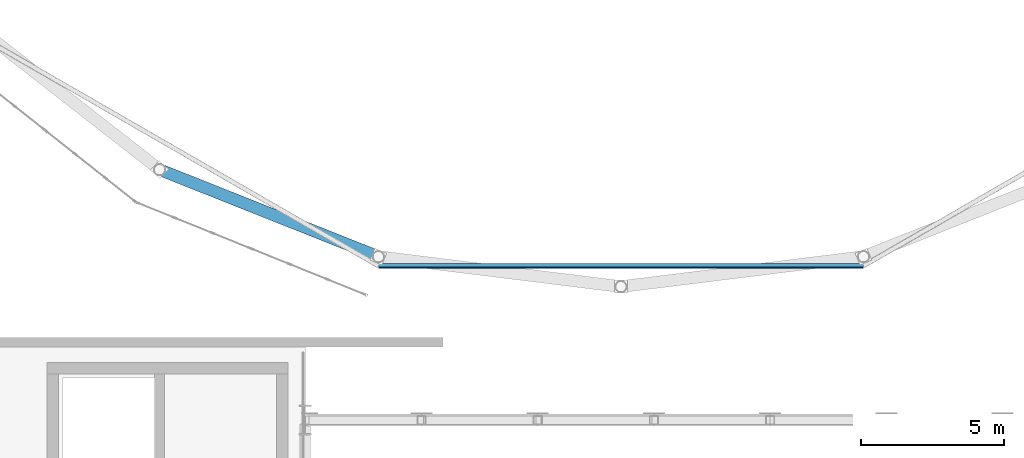
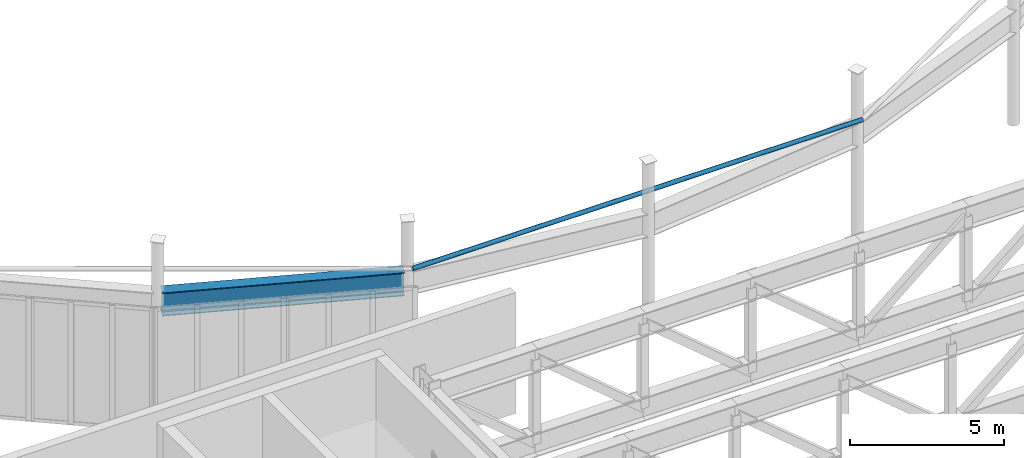
# One storey, part 28 of 91: 1 beam, 1 member.
"""IFC4 building model written with IfcOpenShell, lengths in metres."""

from ifc_helpers import new_model, si_unit, direction, frame, origin, origin_2d, place, context, subcontext, project, spatial, hollow_circle, i_section, extrude, material, material_profile, profile_set, type_object, element, save


model = new_model("IFC4")

# Units and contexts
model_context = context("Model", 3, precision=1e-05, world=origin(), true_north=direction((0.0, 1.0)))
body_context = subcontext(model_context, "Body", "Model", "MODEL_VIEW")
ifc_project = project(units=[si_unit("LENGTHUNIT", "METRE"), si_unit("AREAUNIT", "SQUARE_METRE"), si_unit("VOLUMEUNIT", "CUBIC_METRE"), si_unit("PLANEANGLEUNIT", "RADIAN"), si_unit("MASSUNIT", "GRAM", prefix="KILO")], contexts=[model_context])

# Site, building, storey
site_placement = place(None, origin())
site = spatial("IfcSite", under=ifc_project, at=site_placement, CompositionType="ELEMENT")
building_placement = place(site_placement, origin())
building = spatial("IfcBuilding", under=site, at=building_placement, Name="Sollismere Congress Hotel", CompositionType="ELEMENT")
storey_placement = place(building_placement, frame((0.0, 0.0, 10.800048828125)))
storey = spatial("IfcBuildingStorey", under=building, at=storey_placement, Name="L02", CompositionType="ELEMENT", Elevation=10.800048828125)

# Beam
ifc_material_1 = material(Name="Steel ASTM A992 Grade 50", Category="steel")
ifc_material_profile_1 = material_profile(ifc_material_1, i_section(OverallWidth=0.4189453125, OverallDepth=0.927001953125, WebThickness=0.019287109375, FlangeThickness=0.031982421875, at=origin_2d()), Name="W36X231")
ifc_profile_set_1 = profile_set([ifc_material_profile_1], Name="Steel ASTM A992 Grade 50")
beam_type = type_object("IfcBeamType", Name="BM-RG36", PredefinedType="SPANDREL", material=ifc_profile_set_1)
beam_placement = place(storey_placement, frame((13.03564453125, 73.0830078125, 4.156494140625), z_axis=(0.929208384376, -0.369556191134, 0.0), x_axis=(0.369556191134, 0.929208384376, 0.0)))
element("IfcBeam", 1, at=beam_placement, inside=storey, type_object=beam_type, Name="Beam BM-L02-4219", PredefinedType="SPANDREL", context=body_context, shape_type="SweptSolid", body=[
    extrude(i_section(OverallWidth=0.4189453125, OverallDepth=0.927001953125, WebThickness=0.019287109375, FlangeThickness=0.031982421875, at=origin_2d()), origin(), (0.0, 0.0, 1.0), 7.96533203125),
])

# Member
ifc_material_2 = material(Name="Steel ASTM A500 Grade C", Category="steel")
ifc_material_profile_2 = material_profile(ifc_material_2, hollow_circle(Radius=0.083984375, WallThickness=0.008056640625, at=origin_2d()), Name="CHS168X8")
ifc_profile_set_2 = profile_set([ifc_material_profile_2], Name="Steel ASTM A500 Grade C")
member_type = type_object("IfcMemberType", Name="MB-TI168", PredefinedType="STRINGER", material=ifc_profile_set_2)
member_placement = place(storey_placement, frame((20.54931640625, 69.7724609375, 4.820068359375), z_axis=(1.0, 0.0, 0.0), x_axis=(0.0, 1.0, 0.0)))
element("IfcMember", 2, at=member_placement, inside=storey, type_object=member_type, Name="MEM-DT-08", PredefinedType="STRINGER", context=body_context, shape_type="SweptSolid", body=[
    extrude(hollow_circle(Radius=0.083984375, WallThickness=0.008056640625, at=origin_2d()), origin(), (0.0, 0.0, 1.0), 16.9013671875),
])

save(model, "model.ifc")
